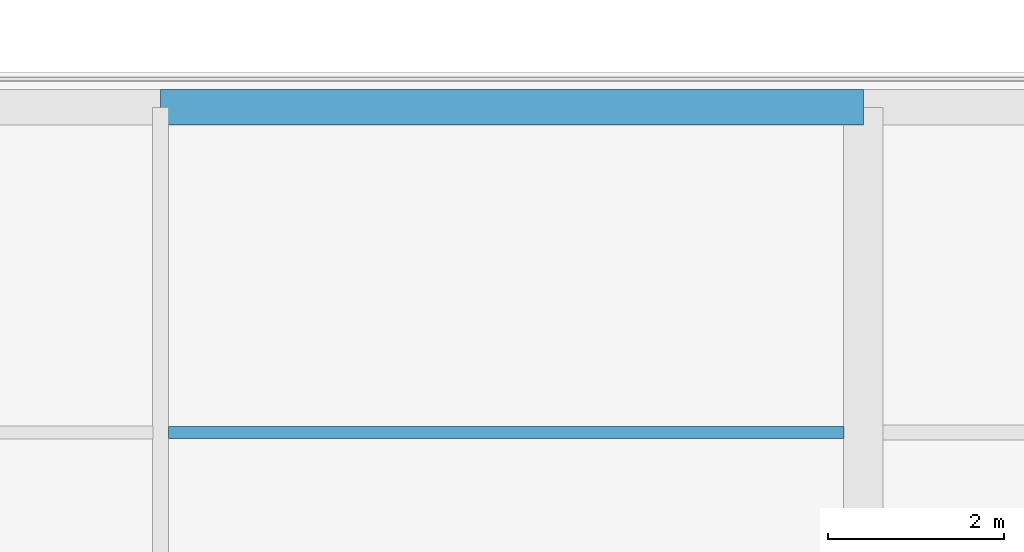
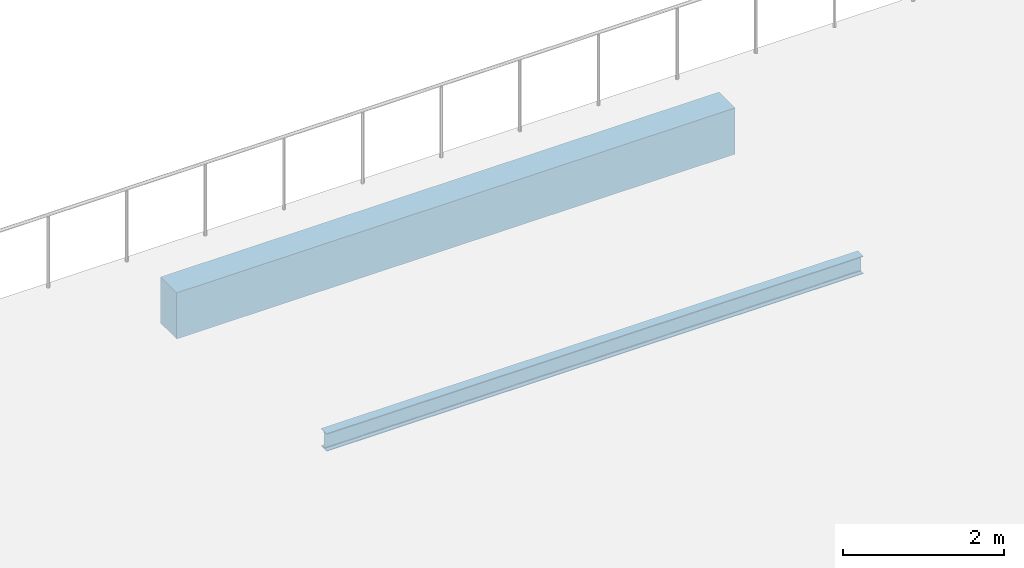
# One storey, part 52 of 165: 2 beams.
"""IFC4 building model written with IfcOpenShell, lengths in metres."""

from ifc_helpers import new_model, si_unit, direction, frame, origin, origin_2d, place, context, subcontext, project, spatial, rectangle, i_section, extrude, material, material_profile, profile_set, type_object, element, save


model = new_model("IFC4")

# Units and contexts
model_context = context("Model", 3, precision=1e-05, world=origin(), true_north=direction((0.0, 1.0)))
body_context = subcontext(model_context, "Body", "Model", "MODEL_VIEW")
ifc_project = project(units=[si_unit("LENGTHUNIT", "METRE"), si_unit("AREAUNIT", "SQUARE_METRE"), si_unit("VOLUMEUNIT", "CUBIC_METRE"), si_unit("PLANEANGLEUNIT", "RADIAN"), si_unit("MASSUNIT", "GRAM", prefix="KILO")], contexts=[model_context])

# Site, building, storey
site_placement = place(None, origin())
site = spatial("IfcSite", under=ifc_project, at=site_placement, CompositionType="ELEMENT")
building_placement = place(site_placement, origin())
building = spatial("IfcBuilding", under=site, at=building_placement, Name="Qalavern Law Courts", CompositionType="ELEMENT")
storey_placement = place(building_placement, frame((0.0, 0.0, 14.39990234375)))
storey = spatial("IfcBuildingStorey", under=building, at=storey_placement, Name="L03", CompositionType="ELEMENT", Elevation=14.39990234375)

# Beams
ifc_material_1 = material(Name="Steel S355", Category="steel")
ifc_material_profile_1 = material_profile(ifc_material_1, i_section(OverallWidth=0.135009765625, OverallDepth=0.27001953125, WebThickness=0.006591796875, FlangeThickness=0.01025390625, FilletRadius=0.014892578125, at=origin_2d()), Name="IPE 270")
ifc_profile_set_1 = profile_set([ifc_material_profile_1], Name="Steel S355")
beam_type_1 = type_object("IfcBeamType", Name="STR-JST-IPE270", PredefinedType="JOIST", material=ifc_profile_set_1)
beam_1_placement = place(storey_placement, frame((109.887939453125, 18.5, -0.447021484375), z_axis=(1.0, 0.0, 0.0), x_axis=(0.0, 1.0, 0.0)))
element("IfcBeam", 1, at=beam_1_placement, inside=storey, type_object=beam_type_1, Name="V6 secondary joist 2.3.1 L03", PredefinedType="JOIST", context=body_context, shape_type="SweptSolid", body=[
    extrude(i_section(OverallWidth=0.135009765625, OverallDepth=0.27001953125, WebThickness=0.006591796875, FlangeThickness=0.01025390625, FilletRadius=0.014892578125, at=origin_2d()), origin(), (0.0, 0.0, 1.0), 7.68896484375),
])
ifc_material_2 = material(Name="Concrete C40/50", Category="concrete")
ifc_material_profile_2 = material_profile(ifc_material_2, rectangle(XDim=0.39990234375, YDim=0.699951171875, at=origin_2d()), Name="RC 400x700")
ifc_profile_set_2 = profile_set([ifc_material_profile_2], Name="Concrete C40/50")
beam_type_2 = type_object("IfcBeamType", Name="STR-SP-RC400x700", PredefinedType="SPANDREL", material=ifc_profile_set_2)
beam_2_placement = place(storey_placement, frame((109.800048828125, 22.199951171875, -0.661865234375), z_axis=(1.0, 0.0, 0.0), x_axis=(0.0, 1.0, 0.0)))
element("IfcBeam", 2, at=beam_2_placement, inside=storey, type_object=beam_type_2, Name="V6 X-beam 4-2 L03", PredefinedType="SPANDREL", context=body_context, shape_type="SweptSolid", body=[
    extrude(rectangle(XDim=0.39990234375, YDim=0.699951171875, at=origin_2d()), origin(), (0.0, 0.0, 1.0), 8.0),
])

save(model, "model.ifc")
